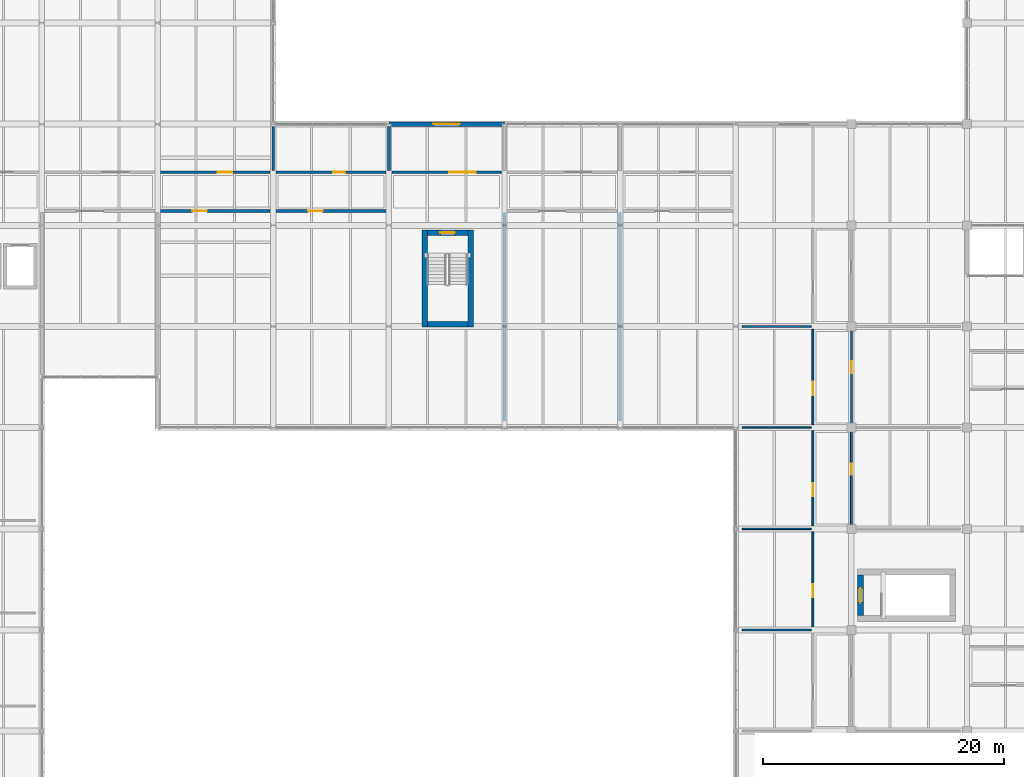
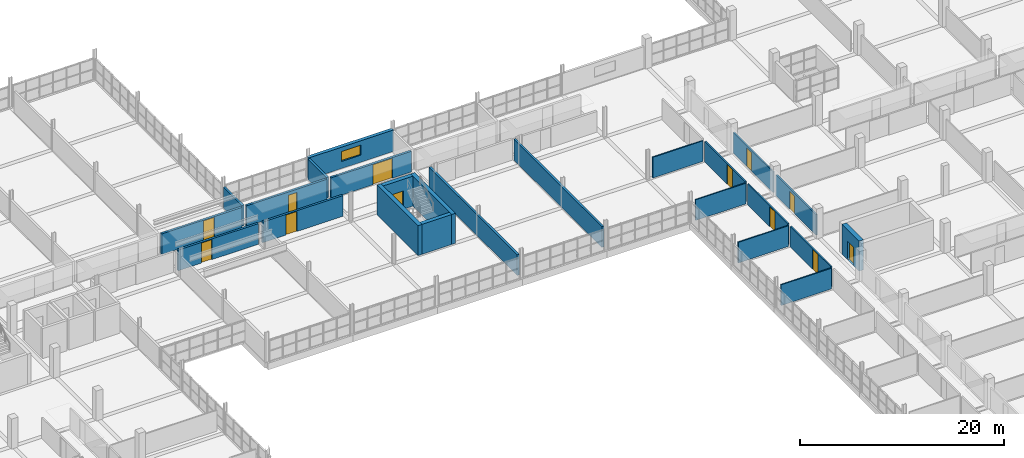
# One storey, part 124 of 147: 24 walls, 12 doors, 1 window, 13 openings.
"""IFC4 building model written with IfcOpenShell, lengths in metres."""

from ifc_helpers import new_model, si_unit, direction, frame, frame_2d, origin, place, context, subcontext, project, spatial, rectangle, extrude, material, layer, layer_set, type_object, element, fill, save


model = new_model("IFC4")

# Units and contexts
model_context = context("Model", 3, precision=1e-05, world=origin(), true_north=direction((0.0, 1.0)))
body_context = subcontext(model_context, "Body", "Model", "MODEL_VIEW")
ifc_project = project(units=[si_unit("LENGTHUNIT", "METRE"), si_unit("AREAUNIT", "SQUARE_METRE"), si_unit("VOLUMEUNIT", "CUBIC_METRE"), si_unit("PLANEANGLEUNIT", "RADIAN"), si_unit("MASSUNIT", "GRAM", prefix="KILO")], contexts=[model_context])

# Site, building, storey
site_placement = place(None, origin())
site = spatial("IfcSite", under=ifc_project, at=site_placement, CompositionType="ELEMENT")
building_placement = place(site_placement, origin())
building = spatial("IfcBuilding", under=site, at=building_placement, Name="Oolite Switchyard Hospital", CompositionType="ELEMENT")
storey_placement = place(building_placement, frame((0.0, 0.0, 9.89990234375)))
storey = spatial("IfcBuildingStorey", under=building, at=storey_placement, Name="L02", CompositionType="ELEMENT", Elevation=9.89990234375)

# Wall, opening, window
ifc_material_1 = material(Name="Precast oolitic limestone architectural concrete C40/50", Category="masonry")
ifc_layer_1 = layer(ifc_material_1, 0.3798828125)
ifc_layer_set_1 = layer_set([ifc_layer_1], Name="WAL-EXT-380")
wall_type_1 = type_object("IfcWallType", Name="WAL-EXT-380", PredefinedType="SOLIDWALL", material=ifc_layer_set_1)
wall_1_placement = place(storey_placement, frame((86.39990234375, 109.199951171875, 0.0), z_axis=(0.0, 0.0, 1.0), x_axis=(1.0, 0.0, 0.0)))
wall_1 = element("IfcWall", 1, at=wall_1_placement, inside=storey, type_object=wall_type_1, Name="L02 Exterior Spandrel Wall 137", PredefinedType="SOLIDWALL", context=body_context, shape_type="SweptSolid", body=[
    extrude(rectangle(XDim=9.60009765625, YDim=0.3798828125, at=frame_2d((4.800048828125, 0.0))), origin(), (0.0, 0.0, 1.0), 2.570068359375),
])
opening_1_placement = place(wall_1_placement, frame((3.699951171875, 0.0, 0.85009765625)))
opening_1 = element("IfcOpeningElement", 2, at=opening_1_placement, cuts=wall_1, Name="Opening WN-0054", PredefinedType="OPENING", context=body_context, shape_type="SweptSolid", body=[
    extrude(rectangle(XDim=2.199951171875, YDim=1.199951171875, at=frame_2d((1.10009765625, 0.60009765625))), frame((0.0, 0.199951171875, 0.0), z_axis=(0.0, -1.0, 0.0), x_axis=(1.0, 0.0, 0.0)), (0.0, 0.0, 1.0), 0.39990234375),
])
ifc_material_2 = material(Name="Thermally broken aluminum frame with laminated impact glazing", Category="aluminium")
window_type = type_object("IfcWindowType", Name="WIN-IMP-220X120", PartitioningType="SINGLE_PANEL", PredefinedType="WINDOW", material=ifc_material_2)
window_placement = place(opening_1_placement, origin())
window = element("IfcWindow", 3, at=window_placement, inside=storey, type_object=window_type, Name="L02 Hurricane Impact Window WN-0054", OverallHeight=1.199951171875, OverallWidth=2.199951171875, PartitioningType="SINGLE_PANEL", PredefinedType="WINDOW", context=body_context, shape_type="SweptSolid", body=[
    extrude(rectangle(XDim=2.199951171875, YDim=1.199951171875, at=frame_2d((1.10009765625, 0.60009765625))), frame((0.0, 0.030029296875, 0.0), z_axis=(0.0, -1.0, 0.0), x_axis=(1.0, 0.0, 0.0)), (0.0, 0.0, 1.0), 0.06005859375),
])
fill(opening_1, window)

# Walls
ifc_material_3 = material(Name="Moisture-resistant gypsum board on steel studs", Category="steel")
ifc_layer_2 = layer(ifc_material_3, 0.135009765625)
ifc_layer_set_2 = layer_set([ifc_layer_2], Name="WAL-PART-135")
wall_type_2 = type_object("IfcWallType", Name="WAL-PART-135", PredefinedType="PARTITIONING", material=ifc_layer_set_2)
for number, where, z_axis, x_axis, name in (
    (4, (115.75, 67.199951171875, 0.0), (0.0, 0.0, 1.0), (1.0, 0.0, 0.0), "L02 Interior Partition 479"),
    (5, (115.75, 75.60009765625, 0.0), (0.0, 0.0, 1.0), (1.0, 0.0, 0.0), "L02 Interior Partition 481"),
    (6, (115.75, 84.0, 0.0), (0.0, 0.0, 1.0), (1.0, 0.0, 0.0), "L02 Interior Partition 485"),
    (7, (115.75, 92.39990234375, 0.0), (0.0, 0.0, 1.0), (1.0, 0.0, 0.0), "L02 Interior Partition 489"),
):
    element("IfcWall", number, at=place(storey_placement, frame(where, z_axis=z_axis, x_axis=x_axis)), inside=storey, type_object=wall_type_2, Name=name, PredefinedType="PARTITIONING", context=body_context, shape_type="SweptSolid", body=[
        extrude(rectangle(XDim=5.699951171875, YDim=0.135009765625, at=frame_2d((2.85009765625, 0.0))), origin(), (0.0, 0.0, 1.0), 2.47998046875),
    ])

# Wall, opening, door
ifc_layer_3 = layer(ifc_material_3, 0.1650390625)
ifc_layer_set_3 = layer_set([ifc_layer_3], Name="WAL-PART-165")
wall_type_3 = type_object("IfcWallType", Name="WAL-PART-165", PredefinedType="PARTITIONING", material=ifc_layer_set_3)
wall_2_placement = place(storey_placement, frame((121.60009765625, 67.449951171875, 0.0), z_axis=(0.0, 0.0, 1.0), x_axis=(0.0, 1.0, 0.0)))
wall_2 = element("IfcWall", 8, at=wall_2_placement, inside=storey, type_object=wall_type_3, Name="L02 Interior Partition 478", PredefinedType="PARTITIONING", context=body_context, shape_type="SweptSolid", body=[
    extrude(rectangle(XDim=7.900146484375, YDim=0.1650390625, at=frame_2d((3.9501953125, 0.0))), origin(), (0.0, 0.0, 1.0), 2.47998046875),
])
opening_2_placement = place(wall_2_placement, frame((2.449951171875, 0.0, 0.0)))
opening_2 = element("IfcOpeningElement", 9, at=opening_2_placement, cuts=wall_2, Name="Opening D-0270", PredefinedType="OPENING", context=body_context, shape_type="SweptSolid", body=[
    extrude(rectangle(XDim=1.10009765625, YDim=2.39990234375, at=frame_2d((0.550048828125, 1.199951171875))), frame((0.0, 0.092529296875, 0.0), z_axis=(0.0, -1.0, 0.0), x_axis=(1.0, 0.0, 0.0)), (0.0, 0.0, 1.0), 0.18505859375),
])
ifc_material_4 = material(Name="Hollow metal fire-rated steel door assembly", Category="steel")
door_type_1 = type_object("IfcDoorType", Name="DR-LAB-110X240", OperationType="NOTDEFINED", PredefinedType="DOOR", material=ifc_material_4)
door_1_placement = place(opening_2_placement, origin())
door_1 = element("IfcDoor", 10, at=door_1_placement, inside=storey, type_object=door_type_1, Name="L02 Interior Door D-0270", OperationType="SINGLE_SWING_LEFT", OverallHeight=2.39990234375, OverallWidth=1.10009765625, PredefinedType="DOOR", context=body_context, shape_type="SweptSolid", body=[
    extrude(rectangle(XDim=1.10009765625, YDim=2.39990234375, at=frame_2d((0.550048828125, 1.199951171875))), frame((0.0, 0.02490234375, 0.0), z_axis=(0.0, -1.0, 0.0), x_axis=(1.0, 0.0, 0.0)), (0.0, 0.0, 1.0), 0.050048828125),
])
fill(opening_2, door_1)

wall_3_placement = place(storey_placement, frame((121.60009765625, 75.85009765625, 0.0), z_axis=(0.0, 0.0, 1.0), x_axis=(0.0, 1.0, 0.0)))
wall_3 = element("IfcWall", 11, at=wall_3_placement, inside=storey, type_object=wall_type_3, Name="L02 Interior Partition 480", PredefinedType="PARTITIONING", context=body_context, shape_type="SweptSolid", body=[
    extrude(rectangle(XDim=7.89990234375, YDim=0.1650390625, at=frame_2d((3.949951171875, 0.0))), origin(), (0.0, 0.0, 1.0), 2.47998046875),
])
opening_3_placement = place(wall_3_placement, frame((2.449951171875, 0.0, 0.0)))
opening_3 = element("IfcOpeningElement", 12, at=opening_3_placement, cuts=wall_3, Name="Opening D-0271", PredefinedType="OPENING", context=body_context, shape_type="SweptSolid", body=[
    extrude(rectangle(XDim=1.10009765625, YDim=2.39990234375, at=frame_2d((0.550048828125, 1.199951171875))), frame((0.0, 0.092529296875, 0.0), z_axis=(0.0, -1.0, 0.0), x_axis=(1.0, 0.0, 0.0)), (0.0, 0.0, 1.0), 0.18505859375),
])
door_2_placement = place(opening_3_placement, origin())
door_2 = element("IfcDoor", 13, at=door_2_placement, inside=storey, type_object=door_type_1, Name="L02 Interior Door D-0271", OperationType="SINGLE_SWING_RIGHT", OverallHeight=2.39990234375, OverallWidth=1.10009765625, PredefinedType="DOOR", context=body_context, shape_type="SweptSolid", body=[
    extrude(rectangle(XDim=1.10009765625, YDim=2.39990234375, at=frame_2d((0.550048828125, 1.199951171875))), frame((0.0, 0.02490234375, 0.0), z_axis=(0.0, -1.0, 0.0), x_axis=(1.0, 0.0, 0.0)), (0.0, 0.0, 1.0), 0.050048828125),
])
fill(opening_3, door_2)

wall_4_placement = place(storey_placement, frame((124.800048828125, 75.85009765625, 0.0), z_axis=(0.0, 0.0, 1.0), x_axis=(0.0, 1.0, 0.0)))
wall_4 = element("IfcWall", 14, at=wall_4_placement, inside=storey, type_object=wall_type_3, Name="L02 Interior Partition 482", PredefinedType="PARTITIONING", context=body_context, shape_type="SweptSolid", body=[
    extrude(rectangle(XDim=7.89990234375, YDim=0.1650390625, at=frame_2d((3.949951171875, 0.0))), origin(), (0.0, 0.0, 1.0), 2.47998046875),
])
opening_4_placement = place(wall_4_placement, frame((4.25, 0.0, 0.0)))
opening_4 = element("IfcOpeningElement", 15, at=opening_4_placement, cuts=wall_4, Name="Opening D-0272", PredefinedType="OPENING", context=body_context, shape_type="SweptSolid", body=[
    extrude(rectangle(XDim=0.89990234375, YDim=2.10009765625, at=frame_2d((0.449951171875, 1.050048828125))), frame((0.0, 0.092529296875, 0.0), z_axis=(0.0, -1.0, 0.0), x_axis=(1.0, 0.0, 0.0)), (0.0, 0.0, 1.0), 0.18505859375),
])
ifc_material_5 = material(Name="Solid-core antimicrobial hardwood leaf in steel frame", Category="steel")
door_type_2 = type_object("IfcDoorType", Name="DR-BATH-090X210", OperationType="NOTDEFINED", PredefinedType="DOOR", material=ifc_material_5)
door_3_placement = place(opening_4_placement, origin())
door_3 = element("IfcDoor", 16, at=door_3_placement, inside=storey, type_object=door_type_2, Name="L02 Interior Door D-0272", OperationType="SINGLE_SWING_LEFT", OverallHeight=2.10009765625, OverallWidth=0.89990234375, PredefinedType="DOOR", context=body_context, shape_type="SweptSolid", body=[
    extrude(rectangle(XDim=0.89990234375, YDim=2.10009765625, at=frame_2d((0.449951171875, 1.050048828125))), frame((0.0, 0.02490234375, 0.0), z_axis=(0.0, -1.0, 0.0), x_axis=(1.0, 0.0, 0.0)), (0.0, 0.0, 1.0), 0.050048828125),
])
fill(opening_4, door_3)

wall_5_placement = place(storey_placement, frame((121.60009765625, 84.25, 0.0), z_axis=(0.0, 0.0, 1.0), x_axis=(0.0, 1.0, 0.0)))
wall_5 = element("IfcWall", 17, at=wall_5_placement, inside=storey, type_object=wall_type_3, Name="L02 Interior Partition 484", PredefinedType="PARTITIONING", context=body_context, shape_type="SweptSolid", body=[
    extrude(rectangle(XDim=7.89990234375, YDim=0.1650390625, at=frame_2d((3.949951171875, 0.0))), origin(), (0.0, 0.0, 1.0), 2.47998046875),
])
opening_5_placement = place(wall_5_placement, frame((2.449951171875, 0.0, 0.0)))
opening_5 = element("IfcOpeningElement", 18, at=opening_5_placement, cuts=wall_5, Name="Opening D-0273", PredefinedType="OPENING", context=body_context, shape_type="SweptSolid", body=[
    extrude(rectangle(XDim=1.10009765625, YDim=2.39990234375, at=frame_2d((0.550048828125, 1.199951171875))), frame((0.0, 0.092529296875, 0.0), z_axis=(0.0, -1.0, 0.0), x_axis=(1.0, 0.0, 0.0)), (0.0, 0.0, 1.0), 0.18505859375),
])
door_4_placement = place(opening_5_placement, origin())
door_4 = element("IfcDoor", 19, at=door_4_placement, inside=storey, type_object=door_type_1, Name="L02 Interior Door D-0273", OperationType="SINGLE_SWING_LEFT", OverallHeight=2.39990234375, OverallWidth=1.10009765625, PredefinedType="DOOR", context=body_context, shape_type="SweptSolid", body=[
    extrude(rectangle(XDim=1.10009765625, YDim=2.39990234375, at=frame_2d((0.550048828125, 1.199951171875))), frame((0.0, 0.02490234375, 0.0), z_axis=(0.0, -1.0, 0.0), x_axis=(1.0, 0.0, 0.0)), (0.0, 0.0, 1.0), 0.050048828125),
])
fill(opening_5, door_4)

wall_6_placement = place(storey_placement, frame((124.800048828125, 84.25, 0.0), z_axis=(0.0, 0.0, 1.0), x_axis=(0.0, 1.0, 0.0)))
wall_6 = element("IfcWall", 20, at=wall_6_placement, inside=storey, type_object=wall_type_3, Name="L02 Interior Partition 486", PredefinedType="PARTITIONING", context=body_context, shape_type="SweptSolid", body=[
    extrude(rectangle(XDim=7.89990234375, YDim=0.1650390625, at=frame_2d((3.949951171875, 0.0))), origin(), (0.0, 0.0, 1.0), 2.47998046875),
])
opening_6_placement = place(wall_6_placement, frame((4.25, 0.0, 0.0)))
opening_6 = element("IfcOpeningElement", 21, at=opening_6_placement, cuts=wall_6, Name="Opening D-0274", PredefinedType="OPENING", context=body_context, shape_type="SweptSolid", body=[
    extrude(rectangle(XDim=1.0, YDim=2.199951171875, at=frame_2d((0.5, 1.10009765625))), frame((0.0, 0.092529296875, 0.0), z_axis=(0.0, -1.0, 0.0), x_axis=(1.0, 0.0, 0.0)), (0.0, 0.0, 1.0), 0.18505859375),
])
door_type_3 = type_object("IfcDoorType", Name="DR-OFF-100X220", OperationType="NOTDEFINED", PredefinedType="DOOR", material=ifc_material_5)
door_5_placement = place(opening_6_placement, origin())
door_5 = element("IfcDoor", 22, at=door_5_placement, inside=storey, type_object=door_type_3, Name="L02 Interior Door D-0274", OperationType="SINGLE_SWING_RIGHT", OverallHeight=2.199951171875, OverallWidth=1.0, PredefinedType="DOOR", context=body_context, shape_type="SweptSolid", body=[
    extrude(rectangle(XDim=1.0, YDim=2.199951171875, at=frame_2d((0.5, 1.10009765625))), frame((0.0, 0.02490234375, 0.0), z_axis=(0.0, -1.0, 0.0), x_axis=(1.0, 0.0, 0.0)), (0.0, 0.0, 1.0), 0.050048828125),
])
fill(opening_6, door_5)

ifc_material_6 = material(Name="Precast concrete C40/50", Category="concrete")
ifc_layer_4 = layer(ifc_material_6, 0.239990234375)
ifc_layer_set_4 = layer_set([ifc_layer_4], Name="WAL-PLANT-240")
wall_type_4 = type_object("IfcWallType", Name="WAL-PLANT-240", PredefinedType="PARTITIONING", material=ifc_layer_set_4)
wall_7_placement = place(storey_placement, frame((67.449951171875, 102.0, 0.0), z_axis=(0.0, 0.0, 1.0), x_axis=(1.0, 0.0, 0.0)))
wall_7 = element("IfcWall", 23, at=wall_7_placement, inside=storey, type_object=wall_type_4, Name="L02 Interior Partition 427", PredefinedType="PARTITIONING", context=body_context, shape_type="SweptSolid", body=[
    extrude(rectangle(XDim=9.10009765625, YDim=0.239990234375, at=frame_2d((4.550048828125, 0.0))), origin(), (0.0, 0.0, 1.0), 2.47998046875),
])
opening_7_placement = place(wall_7_placement, frame((2.64990234375, 0.0, 0.0)))
opening_7 = element("IfcOpeningElement", 24, at=opening_7_placement, cuts=wall_7, Name="Opening D-0243", PredefinedType="OPENING", context=body_context, shape_type="SweptSolid", body=[
    extrude(rectangle(XDim=1.199951171875, YDim=2.39990234375, at=frame_2d((0.60009765625, 1.199951171875))), frame((0.0, 0.1298828125, 0.0), z_axis=(0.0, -1.0, 0.0), x_axis=(1.0, 0.0, 0.0)), (0.0, 0.0, 1.0), 0.260009765625),
])
door_type_4 = type_object("IfcDoorType", Name="DR-PHARM-120X240", OperationType="NOTDEFINED", PredefinedType="DOOR", material=ifc_material_4)
door_6_placement = place(opening_7_placement, origin())
door_6 = element("IfcDoor", 25, at=door_6_placement, inside=storey, type_object=door_type_4, Name="L02 Interior Door D-0243", OperationType="SINGLE_SWING_LEFT", OverallHeight=2.39990234375, OverallWidth=1.199951171875, PredefinedType="DOOR", context=body_context, shape_type="SweptSolid", body=[
    extrude(rectangle(XDim=1.199951171875, YDim=2.39990234375, at=frame_2d((0.60009765625, 1.199951171875))), frame((0.0, 0.02490234375, 0.0), z_axis=(0.0, -1.0, 0.0), x_axis=(1.0, 0.0, 0.0)), (0.0, 0.0, 1.0), 0.050048828125),
])
fill(opening_7, door_6)

wall_8_placement = place(storey_placement, frame((67.449951171875, 105.199951171875, 0.0), z_axis=(0.0, 0.0, 1.0), x_axis=(1.0, 0.0, 0.0)))
wall_8 = element("IfcWall", 26, at=wall_8_placement, inside=storey, type_object=wall_type_4, Name="L02 Interior Partition 429", PredefinedType="PARTITIONING", context=body_context, shape_type="SweptSolid", body=[
    extrude(rectangle(XDim=9.10009765625, YDim=0.239990234375, at=frame_2d((4.550048828125, 0.0))), origin(), (0.0, 0.0, 1.0), 2.47998046875),
])
opening_8_placement = place(wall_8_placement, frame((4.75, 0.0, 0.0)))
opening_8 = element("IfcOpeningElement", 27, at=opening_8_placement, cuts=wall_8, Name="Opening D-0244", PredefinedType="OPENING", context=body_context, shape_type="SweptSolid", body=[
    extrude(rectangle(XDim=1.199951171875, YDim=2.39990234375, at=frame_2d((0.60009765625, 1.199951171875))), frame((0.0, 0.1298828125, 0.0), z_axis=(0.0, -1.0, 0.0), x_axis=(1.0, 0.0, 0.0)), (0.0, 0.0, 1.0), 0.260009765625),
])
door_7_placement = place(opening_8_placement, origin())
door_7 = element("IfcDoor", 28, at=door_7_placement, inside=storey, type_object=door_type_4, Name="L02 Interior Door D-0244", OperationType="SINGLE_SWING_RIGHT", OverallHeight=2.39990234375, OverallWidth=1.199951171875, PredefinedType="DOOR", context=body_context, shape_type="SweptSolid", body=[
    extrude(rectangle(XDim=1.199951171875, YDim=2.39990234375, at=frame_2d((0.60009765625, 1.199951171875))), frame((0.0, 0.02490234375, 0.0), z_axis=(0.0, -1.0, 0.0), x_axis=(1.0, 0.0, 0.0)), (0.0, 0.0, 1.0), 0.050048828125),
])
fill(opening_8, door_7)

wall_9_placement = place(storey_placement, frame((77.050048828125, 102.0, 0.0), z_axis=(0.0, 0.0, 1.0), x_axis=(1.0, 0.0, 0.0)))
wall_9 = element("IfcWall", 29, at=wall_9_placement, inside=storey, type_object=wall_type_4, Name="L02 Interior Partition 431", PredefinedType="PARTITIONING", context=body_context, shape_type="SweptSolid", body=[
    extrude(rectangle(XDim=9.099853515625, YDim=0.239990234375, at=frame_2d((4.5498046875, 0.0))), origin(), (0.0, 0.0, 1.0), 2.47998046875),
])
opening_9_placement = place(wall_9_placement, frame((2.64990234375, 0.0, 0.0)))
opening_9 = element("IfcOpeningElement", 30, at=opening_9_placement, cuts=wall_9, Name="Opening D-0245", PredefinedType="OPENING", context=body_context, shape_type="SweptSolid", body=[
    extrude(rectangle(XDim=1.199951171875, YDim=2.39990234375, at=frame_2d((0.60009765625, 1.199951171875))), frame((0.0, 0.1298828125, 0.0), z_axis=(0.0, -1.0, 0.0), x_axis=(1.0, 0.0, 0.0)), (0.0, 0.0, 1.0), 0.260009765625),
])
door_8_placement = place(opening_9_placement, origin())
door_8 = element("IfcDoor", 31, at=door_8_placement, inside=storey, type_object=door_type_4, Name="L02 Interior Door D-0245", OperationType="SINGLE_SWING_RIGHT", OverallHeight=2.39990234375, OverallWidth=1.199951171875, PredefinedType="DOOR", context=body_context, shape_type="SweptSolid", body=[
    extrude(rectangle(XDim=1.199951171875, YDim=2.39990234375, at=frame_2d((0.60009765625, 1.199951171875))), frame((0.0, 0.02490234375, 0.0), z_axis=(0.0, -1.0, 0.0), x_axis=(1.0, 0.0, 0.0)), (0.0, 0.0, 1.0), 0.050048828125),
])
fill(opening_9, door_8)

wall_10_placement = place(storey_placement, frame((77.050048828125, 105.199951171875, 0.0), z_axis=(0.0, 0.0, 1.0), x_axis=(1.0, 0.0, 0.0)))
wall_10 = element("IfcWall", 32, at=wall_10_placement, inside=storey, type_object=wall_type_4, Name="L02 Interior Partition 433", PredefinedType="PARTITIONING", context=body_context, shape_type="SweptSolid", body=[
    extrude(rectangle(XDim=9.099853515625, YDim=0.239990234375, at=frame_2d((4.5498046875, 0.0))), origin(), (0.0, 0.0, 1.0), 2.47998046875),
])
opening_10_placement = place(wall_10_placement, frame((4.75, 0.0, 0.0)))
opening_10 = element("IfcOpeningElement", 33, at=opening_10_placement, cuts=wall_10, Name="Opening D-0246", PredefinedType="OPENING", context=body_context, shape_type="SweptSolid", body=[
    extrude(rectangle(XDim=0.949951171875, YDim=2.10009765625, at=frame_2d((0.47509765625, 1.050048828125))), frame((0.0, 0.1298828125, 0.0), z_axis=(0.0, -1.0, 0.0), x_axis=(1.0, 0.0, 0.0)), (0.0, 0.0, 1.0), 0.260009765625),
])
door_type_5 = type_object("IfcDoorType", Name="DR-BATH-095X210", OperationType="NOTDEFINED", PredefinedType="DOOR", material=ifc_material_5)
door_9_placement = place(opening_10_placement, origin())
door_9 = element("IfcDoor", 34, at=door_9_placement, inside=storey, type_object=door_type_5, Name="L02 Interior Door D-0246", OperationType="SINGLE_SWING_LEFT", OverallHeight=2.10009765625, OverallWidth=0.949951171875, PredefinedType="DOOR", context=body_context, shape_type="SweptSolid", body=[
    extrude(rectangle(XDim=0.949951171875, YDim=2.10009765625, at=frame_2d((0.47509765625, 1.050048828125))), frame((0.0, 0.02490234375, 0.0), z_axis=(0.0, -1.0, 0.0), x_axis=(1.0, 0.0, 0.0)), (0.0, 0.0, 1.0), 0.050048828125),
])
fill(opening_10, door_9)

# Wall
wall_11_placement = place(storey_placement, frame((76.800048828125, 105.35009765625, 0.0), z_axis=(0.0, 0.0, 1.0), x_axis=(0.0, 1.0, 0.0)))
element("IfcWall", 35, at=wall_11_placement, inside=storey, type_object=wall_type_4, Name="L02 Interior Partition 434", PredefinedType="PARTITIONING", context=body_context, shape_type="SweptSolid", body=[
    extrude(rectangle(XDim=3.64990234375, YDim=0.239990234375, at=frame_2d((1.824951171875, 0.0))), origin(), (0.0, 0.0, 1.0), 2.47998046875),
])

# Wall, opening, door
wall_12_placement = place(storey_placement, frame((86.64990234375, 105.199951171875, 0.0), z_axis=(0.0, 0.0, 1.0), x_axis=(1.0, 0.0, 0.0)))
wall_12 = element("IfcWall", 36, at=wall_12_placement, inside=storey, type_object=wall_type_4, Name="L02 Interior Partition 435", PredefinedType="PARTITIONING", context=body_context, shape_type="SweptSolid", body=[
    extrude(rectangle(XDim=9.10009765625, YDim=0.239990234375, at=frame_2d((4.550048828125, 0.0))), origin(), (0.0, 0.0, 1.0), 2.47998046875),
])
opening_11_placement = place(wall_12_placement, frame((4.75, 0.0, 0.0)))
opening_11 = element("IfcOpeningElement", 37, at=opening_11_placement, cuts=wall_12, Name="Opening D-0247", PredefinedType="OPENING", context=body_context, shape_type="SweptSolid", body=[
    extrude(rectangle(XDim=2.199951171875, YDim=2.39990234375, at=frame_2d((1.10009765625, 1.199951171875))), frame((0.0, 0.1298828125, 0.0), z_axis=(0.0, -1.0, 0.0), x_axis=(1.0, 0.0, 0.0)), (0.0, 0.0, 1.0), 0.260009765625),
])
door_type_6 = type_object("IfcDoorType", Name="DR-PLNT-220X240", OperationType="NOTDEFINED", PredefinedType="DOOR", material=ifc_material_4)
door_10_placement = place(opening_11_placement, origin())
door_10 = element("IfcDoor", 38, at=door_10_placement, inside=storey, type_object=door_type_6, Name="L02 Interior Door D-0247", OperationType="DOUBLE_DOOR_SINGLE_SWING", OverallHeight=2.39990234375, OverallWidth=2.199951171875, PredefinedType="DOOR", context=body_context, shape_type="SweptSolid", body=[
    extrude(rectangle(XDim=2.199951171875, YDim=2.39990234375, at=frame_2d((1.10009765625, 1.199951171875))), frame((0.0, 0.02490234375, 0.0), z_axis=(0.0, -1.0, 0.0), x_axis=(1.0, 0.0, 0.0)), (0.0, 0.0, 1.0), 0.050048828125),
])
fill(opening_11, door_10)

# Walls
wall_13_placement = place(storey_placement, frame((86.39990234375, 105.35009765625, 0.0), z_axis=(0.0, 0.0, 1.0), x_axis=(0.0, 1.0, 0.0)))
element("IfcWall", 39, at=wall_13_placement, inside=storey, type_object=wall_type_4, Name="L02 Interior Partition 436", PredefinedType="PARTITIONING", context=body_context, shape_type="SweptSolid", body=[
    extrude(rectangle(XDim=3.64990234375, YDim=0.239990234375, at=frame_2d((1.824951171875, 0.0))), origin(), (0.0, 0.0, 1.0), 2.47998046875),
])
for number, where, z_axis, x_axis, name in (
    (40, (96.0, 84.550048828125, 0.0), (0.0, 0.0, 1.0), (0.0, 1.0, 0.0), "L02 Interior Partition 438"),
    (41, (105.60009765625, 84.550048828125, 0.0), (0.0, 0.0, 1.0), (0.0, 1.0, 0.0), "L02 Interior Partition 442"),
):
    element("IfcWall", number, at=place(storey_placement, frame(where, z_axis=z_axis, x_axis=x_axis)), inside=storey, type_object=wall_type_4, Name=name, PredefinedType="PARTITIONING", context=body_context, shape_type="SweptSolid", body=[
        extrude(rectangle(XDim=17.300048828125, YDim=0.239990234375, at=frame_2d((8.64990234375, 0.0))), origin(), (0.0, 0.0, 1.0), 2.47998046875),
    ])
ifc_material_7 = material(Name="Concrete C50/60", Category="concrete")
ifc_layer_5 = layer(ifc_material_7, 0.449951171875)
ifc_layer_set_5 = layer_set([ifc_layer_5], Name="WAL-SHR-450")
wall_type_5 = type_object("IfcWallType", Name="WAL-SHR-450", PredefinedType="SHEAR", material=ifc_layer_set_5)
wall_14_placement = place(storey_placement, frame((89.375, 100.39990234375, 0.0), z_axis=(0.0, 0.0, 1.0), x_axis=(0.0, -1.0, 0.0)))
element("IfcWall", 42, at=wall_14_placement, inside=storey, type_object=wall_type_5, Name="L02 Core Shear Wall ST-09", PredefinedType="SHEAR", context=body_context, shape_type="SweptSolid", body=[
    extrude(rectangle(XDim=8.0498046875, YDim=0.449951171875, at=frame_2d((4.02490234375, 0.0))), origin(), (0.0, 0.0, 1.0), 3.60009765625),
])
wall_15_placement = place(storey_placement, frame((89.60009765625, 92.574951171875, 0.0), z_axis=(0.0, 0.0, 1.0), x_axis=(1.0, 0.0, 0.0)))
element("IfcWall", 43, at=wall_15_placement, inside=storey, type_object=wall_type_5, Name="L02 Core Shear Wall ST-09", PredefinedType="SHEAR", context=body_context, shape_type="SweptSolid", body=[
    extrude(rectangle(XDim=3.35986328125, YDim=0.449951171875, at=frame_2d((1.679931640625, 0.0))), origin(), (0.0, 0.0, 1.0), 3.60009765625),
])
wall_16_placement = place(storey_placement, frame((93.18505859375, 92.35009765625, 0.0), z_axis=(0.0, 0.0, 1.0), x_axis=(0.0, 1.0, 0.0)))
element("IfcWall", 44, at=wall_16_placement, inside=storey, type_object=wall_type_5, Name="L02 Core Shear Wall ST-09", PredefinedType="SHEAR", context=body_context, shape_type="SweptSolid", body=[
    extrude(rectangle(XDim=8.0498046875, YDim=0.449951171875, at=frame_2d((4.02490234375, 0.0))), origin(), (0.0, 0.0, 1.0), 3.60009765625),
])

# Wall, opening, door
wall_17_placement = place(storey_placement, frame((92.9599609375, 100.175048828125, 0.0), z_axis=(0.0, 0.0, 1.0), x_axis=(-1.0, 0.0, 0.0)))
wall_17 = element("IfcWall", 45, at=wall_17_placement, inside=storey, type_object=wall_type_5, Name="L02 Core Shear Wall ST-09", PredefinedType="SHEAR", context=body_context, shape_type="SweptSolid", body=[
    extrude(rectangle(XDim=3.35986328125, YDim=0.449951171875, at=frame_2d((1.679931640625, 0.0))), origin(), (0.0, 0.0, 1.0), 3.60009765625),
])
opening_12_placement = place(wall_17_placement, frame((1.080078125, 0.0, 0.0)))
opening_12 = element("IfcOpeningElement", 46, at=opening_12_placement, cuts=wall_17, Name="Opening SD-051", PredefinedType="OPENING", context=body_context, shape_type="SweptSolid", body=[
    extrude(rectangle(XDim=1.199951171875, YDim=2.199951171875, at=frame_2d((0.60009765625, 1.10009765625))), frame((0.0, 0.23486328125, 0.0), z_axis=(0.0, -1.0, 0.0), x_axis=(1.0, 0.0, 0.0)), (0.0, 0.0, 1.0), 0.469970703125),
])
door_type_7 = type_object("IfcDoorType", Name="DR-STR-120X220", OperationType="NOTDEFINED", PredefinedType="DOOR", material=ifc_material_4)
door_11_placement = place(opening_12_placement, origin())
door_11 = element("IfcDoor", 47, at=door_11_placement, inside=storey, type_object=door_type_7, Name="L02 ST-09 Exit Stair Door SD-051", OperationType="SINGLE_SWING_LEFT", OverallHeight=2.199951171875, OverallWidth=1.199951171875, PredefinedType="DOOR", context=body_context, shape_type="SweptSolid", body=[
    extrude(rectangle(XDim=1.199951171875, YDim=2.199951171875, at=frame_2d((0.60009765625, 1.10009765625))), frame((0.0, 0.02490234375, 0.0), z_axis=(0.0, -1.0, 0.0), x_axis=(1.0, 0.0, 0.0)), (0.0, 0.0, 1.0), 0.050048828125),
])
fill(opening_12, door_11)

ifc_layer_6 = layer(ifc_material_7, 0.5)
ifc_layer_set_6 = layer_set([ifc_layer_6], Name="WAL-SHR-500")
wall_type_6 = type_object("IfcWallType", Name="WAL-SHR-500", PredefinedType="SHEAR", material=ifc_layer_set_6)
wall_18_placement = place(storey_placement, frame((125.550048828125, 71.760009765625, 0.0), z_axis=(0.0, 0.0, 1.0), x_axis=(0.0, -1.0, 0.0)))
wall_18 = element("IfcWall", 48, at=wall_18_placement, inside=storey, type_object=wall_type_6, Name="L02 Core Shear Wall ST-10", PredefinedType="SHEAR", context=body_context, shape_type="SweptSolid", body=[
    extrude(rectangle(XDim=3.360107421875, YDim=0.5, at=frame_2d((1.68017578125, 0.0))), origin(), (0.0, 0.0, 1.0), 3.60009765625),
])
opening_13_placement = place(wall_18_placement, frame((1.080078125, 0.0, 0.0)))
opening_13 = element("IfcOpeningElement", 49, at=opening_13_placement, cuts=wall_18, Name="Opening SD-055", PredefinedType="OPENING", context=body_context, shape_type="SweptSolid", body=[
    extrude(rectangle(XDim=1.199951171875, YDim=2.199951171875, at=frame_2d((0.60009765625, 1.10009765625))), frame((0.0, 0.260009765625, 0.0), z_axis=(0.0, -1.0, 0.0), x_axis=(1.0, 0.0, 0.0)), (0.0, 0.0, 1.0), 0.52001953125),
])
door_12_placement = place(opening_13_placement, origin())
door_12 = element("IfcDoor", 50, at=door_12_placement, inside=storey, type_object=door_type_7, Name="L02 ST-10 Exit Stair Door SD-055", OperationType="SINGLE_SWING_RIGHT", OverallHeight=2.199951171875, OverallWidth=1.199951171875, PredefinedType="DOOR", context=body_context, shape_type="SweptSolid", body=[
    extrude(rectangle(XDim=1.199951171875, YDim=2.199951171875, at=frame_2d((0.60009765625, 1.10009765625))), frame((0.0, 0.02490234375, 0.0), z_axis=(0.0, -1.0, 0.0), x_axis=(1.0, 0.0, 0.0)), (0.0, 0.0, 1.0), 0.050048828125),
])
fill(opening_13, door_12)

save(model, "model.ifc")
